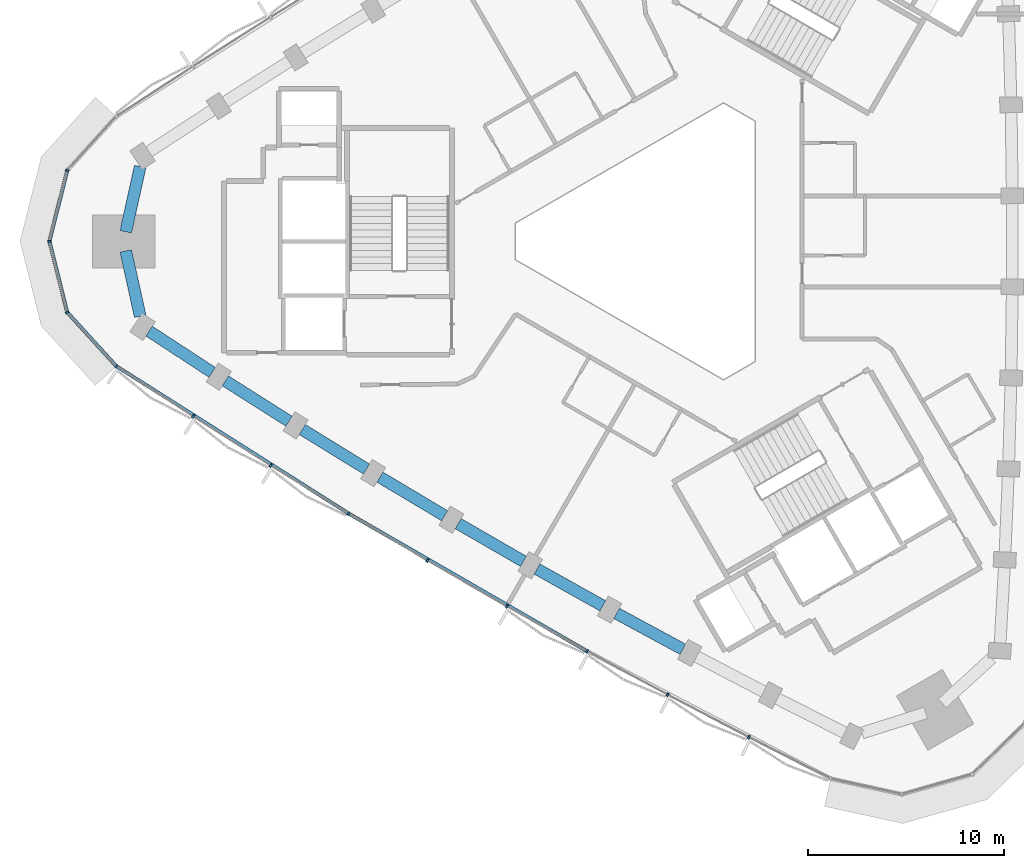
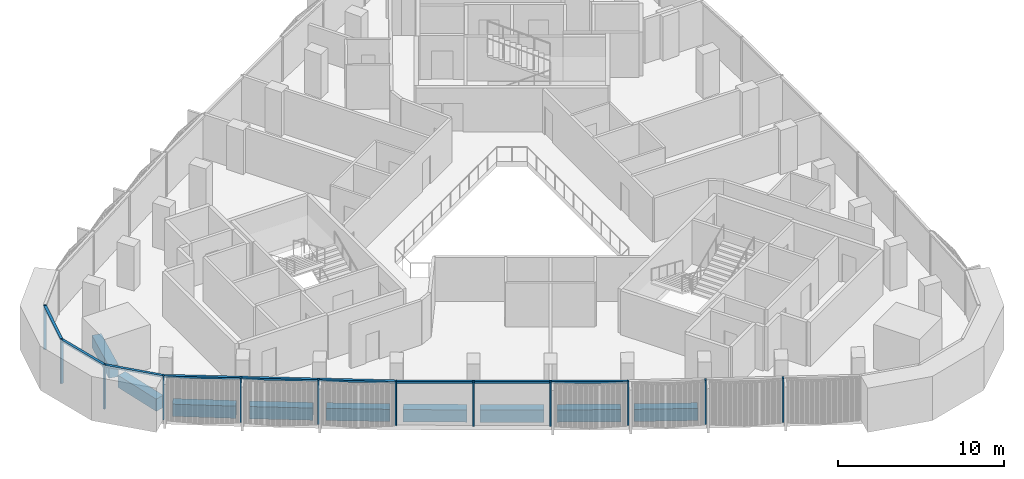
# One storey, part 2 of 13: 17 members, 9 beams, 2 elements without a shape of their own.
"""IFC4 building model written with IfcOpenShell, lengths in metres."""

from ifc_helpers import new_model, si_unit, direction, frame, origin, origin_2d, place, context, subcontext, project, spatial, rectangle, extrude, material, material_profile, profile_set, type_object, element, aggregate, save


model = new_model("IFC4")

# Units and contexts
model_context = context("Model", 3, precision=1e-05, world=origin(), true_north=direction((0.0, 1.0)))
body_context = subcontext(model_context, "Body", "Model", "MODEL_VIEW")
ifc_project = project(units=[si_unit("LENGTHUNIT", "METRE"), si_unit("AREAUNIT", "SQUARE_METRE"), si_unit("VOLUMEUNIT", "CUBIC_METRE"), si_unit("PLANEANGLEUNIT", "RADIAN"), si_unit("MASSUNIT", "GRAM", prefix="KILO")], contexts=[model_context])

# Site, building, storey
site_placement = place(None, origin())
site = spatial("IfcSite", under=ifc_project, at=site_placement, CompositionType="ELEMENT")
building_placement = place(site_placement, origin())
building = spatial("IfcBuilding", under=site, at=building_placement, Name="Tamra Quay Hotel Tower", CompositionType="ELEMENT")
storey_placement = place(building_placement, frame((0.0, 0.0, 193.60009765625)))
storey = spatial("IfcBuildingStorey", under=building, at=storey_placement, Name="L48", CompositionType="ELEMENT", Elevation=193.60009765625)

# Curtain wall, members
ifc_material_1 = material(Name="Aluminium 6063 anodised dark grey", Category="aluminium")
curtain_wall_type_1 = type_object("IfcCurtainWallType", Name="CW2 CURTAIN WALL", PredefinedType="NOTDEFINED", material=ifc_material_1)
curtain_wall_1_placement = place(storey_placement, origin())
curtain_wall_1 = element("IfcCurtainWall", 1, at=curtain_wall_1_placement, inside=storey, type_object=curtain_wall_type_1, Name="CW2 north-west face L48", PredefinedType="NOTDEFINED")
ifc_material_profile_1 = material_profile(ifc_material_1, rectangle(XDim=0.179931640625, YDim=0.10009765625, at=origin_2d()), Name="MULLION 100X180")
ifc_profile_set_1 = profile_set([ifc_material_profile_1], Name="Aluminium 6063 anodised dark grey")
member_type_1 = type_object("IfcMemberType", Name="MULLION CW2 Z4", PredefinedType="MULLION", material=ifc_profile_set_1)
member_1_placement = place(storey_placement, frame((-30.436767578125, 3.611328125, 0.0), z_axis=(0.0, 0.0, 1.0), x_axis=(-0.881097509676, 0.472934645002, 0.0)))
member_1 = element("IfcMember", 2, at=member_1_placement, type_object=member_type_1, Name="CW2 mullion L48.NW.11", PredefinedType="MULLION", context=body_context, shape_type="SweptSolid", body=[
    extrude(rectangle(XDim=0.179931640625, YDim=0.10009765625, at=origin_2d()), origin(), (0.0, 0.0, 1.0), 3.25),
])
member_2_placement = place(storey_placement, frame((-31.3447265625, 0.0, 0.0), z_axis=(0.0, 0.0, 1.0), x_axis=(-1.0, 0.0, 0.0)))
member_2 = element("IfcMember", 3, at=member_2_placement, type_object=member_type_1, Name="CW2 mullion L48.NW.12", PredefinedType="MULLION", context=body_context, shape_type="SweptSolid", body=[
    extrude(rectangle(XDim=0.179931640625, YDim=0.10009765625, at=origin_2d()), origin(), (0.0, 0.0, 1.0), 3.25),
])
member_3_placement = place(storey_placement, frame((-30.436767578125, -3.611328125, 0.0), z_axis=(0.0, 0.0, 1.0), x_axis=(-0.881097509676, -0.472934645002, 0.0)))
member_3 = element("IfcMember", 4, at=member_3_placement, type_object=member_type_1, Name="CW2 mullion L48.NW.13", PredefinedType="MULLION", context=body_context, shape_type="SweptSolid", body=[
    extrude(rectangle(XDim=0.179931640625, YDim=0.10009765625, at=origin_2d()), origin(), (0.0, 0.0, 1.0), 3.25),
])

curtain_wall_type_2 = type_object("IfcCurtainWallType", Name="CW3 CURTAIN WALL", PredefinedType="NOTDEFINED", material=ifc_material_1)
curtain_wall_2_placement = place(storey_placement, origin())
curtain_wall_2 = element("IfcCurtainWall", 5, at=curtain_wall_2_placement, inside=storey, type_object=curtain_wall_type_2, Name="CW3 south-west face L48", PredefinedType="NOTDEFINED")
ifc_material_profile_2 = material_profile(ifc_material_1, rectangle(XDim=0.179931640625, YDim=0.10009765625, at=origin_2d()), Name="MULLION 100X180")
ifc_profile_set_2 = profile_set([ifc_material_profile_2], Name="Aluminium 6063 anodised dark grey")
member_type_2 = type_object("IfcMemberType", Name="MULLION CW3 Z4", PredefinedType="MULLION", material=ifc_profile_set_2)
member_4_placement = place(storey_placement, frame((-27.928955078125, -6.36376953125, 0.0), z_axis=(0.0, 0.0, 1.0), x_axis=(-0.648381091282, -0.76131593998, 0.0)))
member_4 = element("IfcMember", 6, at=member_4_placement, type_object=member_type_2, Name="CW3 mullion L48.SW.1", PredefinedType="MULLION", context=body_context, shape_type="SweptSolid", body=[
    extrude(rectangle(XDim=0.179931640625, YDim=0.10009765625, at=origin_2d()), origin(), (0.0, 0.0, 1.0), 3.25),
])
member_5_placement = place(storey_placement, frame((-24.019775390625, -8.91943359375, 0.0), z_axis=(0.0, 0.0, 1.0), x_axis=(-0.541421307524, -0.840751430423, 0.0)))
member_5 = element("IfcMember", 7, at=member_5_placement, type_object=member_type_2, Name="CW3 mullion L48.SW.2", PredefinedType="MULLION", context=body_context, shape_type="SweptSolid", body=[
    extrude(rectangle(XDim=0.179931640625, YDim=0.10009765625, at=origin_2d()), origin(), (0.0, 0.0, 1.0), 3.25),
])
member_6_placement = place(storey_placement, frame((-20.074951171875, -11.42138671875, 0.0), z_axis=(0.0, 0.0, 1.0), x_axis=(-0.529730620783, -0.848165944497, 0.0)))
member_6 = element("IfcMember", 8, at=member_6_placement, type_object=member_type_2, Name="CW3 mullion L48.SW.3", PredefinedType="MULLION", context=body_context, shape_type="SweptSolid", body=[
    extrude(rectangle(XDim=0.179931640625, YDim=0.10009765625, at=origin_2d()), origin(), (0.0, 0.0, 1.0), 3.25),
])
member_7_placement = place(storey_placement, frame((-16.09716796875, -13.86767578125, 0.0), z_axis=(0.0, 0.0, 1.0), x_axis=(-0.517922719325, -0.85542741177, 0.0)))
member_7 = element("IfcMember", 9, at=member_7_placement, type_object=member_type_2, Name="CW3 mullion L48.SW.4", PredefinedType="MULLION", context=body_context, shape_type="SweptSolid", body=[
    extrude(rectangle(XDim=0.179931640625, YDim=0.10009765625, at=origin_2d()), origin(), (0.0, 0.0, 1.0), 3.25),
])
member_8_placement = place(storey_placement, frame((-12.08447265625, -16.25927734375, 0.0), z_axis=(0.0, 0.0, 1.0), x_axis=(-0.506001107293, -0.862532828023, 0.0)))
member_8 = element("IfcMember", 10, at=member_8_placement, type_object=member_type_2, Name="CW3 mullion L48.SW.5", PredefinedType="MULLION", context=body_context, shape_type="SweptSolid", body=[
    extrude(rectangle(XDim=0.179931640625, YDim=0.10009765625, at=origin_2d()), origin(), (0.0, 0.0, 1.0), 3.25),
])
member_9_placement = place(storey_placement, frame((-8.038818359375, -18.59521484375, 0.0), z_axis=(0.0, 0.0, 1.0), x_axis=(-0.49397478702, -0.869476227271, 0.0)))
member_9 = element("IfcMember", 11, at=member_9_placement, type_object=member_type_2, Name="CW3 mullion L48.SW.6", PredefinedType="MULLION", context=body_context, shape_type="SweptSolid", body=[
    extrude(rectangle(XDim=0.179931640625, YDim=0.10009765625, at=origin_2d()), origin(), (0.0, 0.0, 1.0), 3.25),
])
member_10_placement = place(storey_placement, frame((-3.961181640625, -20.87451171875, 0.0), z_axis=(0.0, 0.0, 1.0), x_axis=(-0.481860510023, -0.876247938017, 0.0)))
member_10 = element("IfcMember", 12, at=member_10_placement, type_object=member_type_2, Name="CW3 mullion L48.SW.7", PredefinedType="MULLION", context=body_context, shape_type="SweptSolid", body=[
    extrude(rectangle(XDim=0.179931640625, YDim=0.10009765625, at=origin_2d()), origin(), (0.0, 0.0, 1.0), 3.25),
])
member_11_placement = place(storey_placement, frame((0.146240234375, -23.09619140625, 0.0), z_axis=(0.0, 0.0, 1.0), x_axis=(-0.469667944168, -0.882843147009, 0.0)))
member_11 = element("IfcMember", 13, at=member_11_placement, type_object=member_type_2, Name="CW3 mullion L48.SW.8", PredefinedType="MULLION", context=body_context, shape_type="SweptSolid", body=[
    extrude(rectangle(XDim=0.179931640625, YDim=0.10009765625, at=origin_2d()), origin(), (0.0, 0.0, 1.0), 3.25),
])
member_12_placement = place(storey_placement, frame((4.285400390625, -25.261474609375, 0.0), z_axis=(0.0, 0.0, 1.0), x_axis=(-0.457401443253, -0.889260321678, 0.0)))
member_12 = element("IfcMember", 14, at=member_12_placement, type_object=member_type_2, Name="CW3 mullion L48.SW.9", PredefinedType="MULLION", context=body_context, shape_type="SweptSolid", body=[
    extrude(rectangle(XDim=0.179931640625, YDim=0.10009765625, at=origin_2d()), origin(), (0.0, 0.0, 1.0), 3.25),
])

# Beams
ifc_material_2 = material(Name="Concrete M60", Category="concrete")
ifc_material_profile_3 = material_profile(ifc_material_2, rectangle(XDim=0.60009765625, YDim=0.89990234375, at=origin_2d()), Name="SPANDREL BEAM RC 600x900")
ifc_profile_set_3 = profile_set([ifc_material_profile_3], Name="Concrete M60")
beam_type = type_object("IfcBeamType", Name="SPANDREL BEAM RC 600x900", PredefinedType="SPANDREL", material=ifc_profile_set_3)
for number, where, z_axis, x_axis, name in (
    (15, (-26.716552734375, 3.811767578125, -0.800048828125), (-0.215798858353, -0.976437838643, 0.0), (0.976437838643, -0.215798858353, 0.0), "BM-SP4-020-L48"),
    (16, (-27.451171875, -0.48779296875, -0.800048828125), (0.215798858353, -0.976437838643, 0.0), (0.976437838643, 0.215798858353, 0.0), "BM-SP4-021-L48"),
):
    element("IfcBeam", number, at=place(storey_placement, frame(where, z_axis=z_axis, x_axis=x_axis)), inside=storey, type_object=beam_type, Name=name, PredefinedType="SPANDREL", context=body_context, shape_type="SweptSolid", body=[
        extrude(rectangle(XDim=0.60009765625, YDim=0.89990234375, at=origin_2d()), origin(), (0.0, 0.0, 1.0), 3.404296875),
    ])
for number, where, z_axis, x_axis, name in (
    (17, (-26.26171875, -4.573486328125, -0.800048828125), (0.836969613974, -0.547249362983, 0.0), (0.547249362983, 0.836969613974, 0.0), "BM-SP4-022-L48"),
    (18, (-22.377197265625, -7.106689453125, -0.800048828125), (0.844469978785, -0.535602889211, 0.0), (0.535602889211, 0.844469978785, 0.0), "BM-SP4-023-L48"),
):
    element("IfcBeam", number, at=place(storey_placement, frame(where, z_axis=z_axis, x_axis=x_axis)), inside=storey, type_object=beam_type, Name=name, PredefinedType="SPANDREL", context=body_context, shape_type="SweptSolid", body=[
        extrude(rectangle(XDim=0.60009765625, YDim=0.89990234375, at=origin_2d()), origin(), (0.0, 0.0, 1.0), 3.837646484375),
    ])
beam_1_placement = place(storey_placement, frame((-18.4580078125, -9.585693359375, -0.800048828125), z_axis=(0.851817714835, -0.523838315411, 0.0), x_axis=(0.523838315411, 0.851817714835, 0.0)))
element("IfcBeam", 19, at=beam_1_placement, inside=storey, type_object=beam_type, Name="BM-SP4-024-L48", PredefinedType="SPANDREL", context=body_context, shape_type="SweptSolid", body=[
    extrude(rectangle(XDim=0.60009765625, YDim=0.89990234375, at=origin_2d()), origin(), (0.0, 0.0, 1.0), 3.837890625),
])
beam_2_placement = place(storey_placement, frame((-14.50439453125, -12.010498046875, -0.800048828125), z_axis=(0.858982487636, -0.512004966708, 0.0), x_axis=(0.512004966708, 0.858982487636, 0.0)))
element("IfcBeam", 20, at=beam_2_placement, inside=storey, type_object=beam_type, Name="BM-SP4-025-L48", PredefinedType="SPANDREL", context=body_context, shape_type="SweptSolid", body=[
    extrude(rectangle(XDim=0.60009765625, YDim=0.89990234375, at=origin_2d()), origin(), (0.0, 0.0, 1.0), 3.837646484375),
])
for number, where, z_axis, x_axis, name in (
    (21, (-10.517822265625, -14.380126953125, -0.800048828125), (0.866022424722, -0.500005159851, 0.0), (0.500005159851, 0.866022424722, 0.0), "BM-SP4-026-L48"),
    (22, (-6.4990234375, -16.694091796875, -0.800048828125), (0.872890885292, -0.487915466422, 0.0), (0.487915466422, 0.872890885292, 0.0), "BM-SP4-027-L48"),
):
    element("IfcBeam", number, at=place(storey_placement, frame(where, z_axis=z_axis, x_axis=x_axis)), inside=storey, type_object=beam_type, Name=name, PredefinedType="SPANDREL", context=body_context, shape_type="SweptSolid", body=[
        extrude(rectangle(XDim=0.60009765625, YDim=0.89990234375, at=origin_2d()), origin(), (0.0, 0.0, 1.0), 3.83740234375),
    ])
beam_3_placement = place(storey_placement, frame((-2.448486328125, -18.951904296875, -0.800048828125), z_axis=(0.879589264525, -0.475733881211, 0.0), x_axis=(0.475733881211, 0.879589264525, 0.0)))
element("IfcBeam", 23, at=beam_3_placement, inside=storey, type_object=beam_type, Name="BM-SP4-028-L48", PredefinedType="SPANDREL", context=body_context, shape_type="SweptSolid", body=[
    extrude(rectangle(XDim=0.60009765625, YDim=0.89990234375, at=origin_2d()), origin(), (0.0, 0.0, 1.0), 3.838134765625),
])

# Member
ifc_material_profile_4 = material_profile(ifc_material_1, rectangle(XDim=0.179931640625, YDim=0.139892578125, at=origin_2d()), Name="TRANSOM 180X140")
ifc_profile_set_4 = profile_set([ifc_material_profile_4], Name="Aluminium 6063 anodised dark grey")
member_type_3 = type_object("IfcMemberType", Name="TRANSOM CW2 Z4", PredefinedType="USERDEFINED", material=ifc_profile_set_4)
member_13_placement = place(storey_placement, frame((-30.448974609375, 3.562744140625, 3.179931640625), z_axis=(-0.243835376469, -0.969816636887, 0.0), x_axis=(0.969816636887, -0.243835376469, 0.0)))
member_13 = element("IfcMember", 24, at=member_13_placement, type_object=member_type_3, Name="CW2 transom L48.NW.11", ObjectType="TRANSOM", PredefinedType="USERDEFINED", context=body_context, shape_type="SweptSolid", body=[
    extrude(rectangle(XDim=0.179931640625, YDim=0.139892578125, at=origin_2d()), origin(), (0.0, 0.0, 1.0), 3.62353515625),
])

member_14_placement = place(storey_placement, frame((-31.33251953125, -0.048583984375, 3.179931640625), z_axis=(0.243835376469, -0.969816636887, 0.0), x_axis=(0.969816636887, 0.243835376469, 0.0)))
member_14 = element("IfcMember", 25, at=member_14_placement, type_object=member_type_3, Name="CW2 transom L48.NW.12", ObjectType="TRANSOM", PredefinedType="USERDEFINED", context=body_context, shape_type="SweptSolid", body=[
    extrude(rectangle(XDim=0.179931640625, YDim=0.139892578125, at=origin_2d()), origin(), (0.0, 0.0, 1.0), 3.62353515625),
])

member_15_placement = place(storey_placement, frame((-30.403076171875, -3.648193359375, 3.179931640625), z_axis=(0.673497359226, -0.739189628658, 0.0), x_axis=(0.739189628658, 0.673497359226, 0.0)))
member_15 = element("IfcMember", 26, at=member_15_placement, type_object=member_type_3, Name="CW2 transom L48.NW.13", ObjectType="TRANSOM", PredefinedType="USERDEFINED", context=body_context, shape_type="SweptSolid", body=[
    extrude(rectangle(XDim=0.179931640625, YDim=0.139892578125, at=origin_2d()), origin(), (0.0, 0.0, 1.0), 3.62353515625),
])

aggregate(curtain_wall_1, [member_1, member_13, member_2, member_14, member_3, member_15])

ifc_material_profile_5 = material_profile(ifc_material_1, rectangle(XDim=0.179931640625, YDim=0.139892578125, at=origin_2d()), Name="TRANSOM 180X140")
ifc_profile_set_5 = profile_set([ifc_material_profile_5], Name="Aluminium 6063 anodised dark grey")
member_type_4 = type_object("IfcMemberType", Name="TRANSOM CW3 Z4", PredefinedType="USERDEFINED", material=ifc_profile_set_5)
member_16_placement = place(storey_placement, frame((-27.88720703125, -6.39111328125, 3.179931640625), z_axis=(0.844483603588, -0.535581406764, 0.0), x_axis=(0.535581406764, 0.844483603588, 0.0)))
member_16 = element("IfcMember", 27, at=member_16_placement, type_object=member_type_4, Name="CW3 transom L48.SW.1", ObjectType="TRANSOM", PredefinedType="USERDEFINED", context=body_context, shape_type="SweptSolid", body=[
    extrude(rectangle(XDim=0.179931640625, YDim=0.139892578125, at=origin_2d()), origin(), (0.0, 0.0, 1.0), 13.910888671875),
])

member_17_placement = place(storey_placement, frame((-16.05419921875, -13.893310546875, 3.179931640625), z_axis=(0.866021948021, -0.50000598551, 0.0), x_axis=(0.50000598551, 0.866021948021, 0.0)))
member_17 = element("IfcMember", 28, at=member_17_placement, type_object=member_type_4, Name="CW3 transom L48.SW.4", ObjectType="TRANSOM", PredefinedType="USERDEFINED", context=body_context, shape_type="SweptSolid", body=[
    extrude(rectangle(XDim=0.179931640625, YDim=0.139892578125, at=origin_2d()), origin(), (0.0, 0.0, 1.0), 13.913330078125),
])

aggregate(curtain_wall_2, [member_4, member_16, member_5, member_6, member_7, member_17, member_8, member_9, member_10, member_11, member_12])

save(model, "model.ifc")
